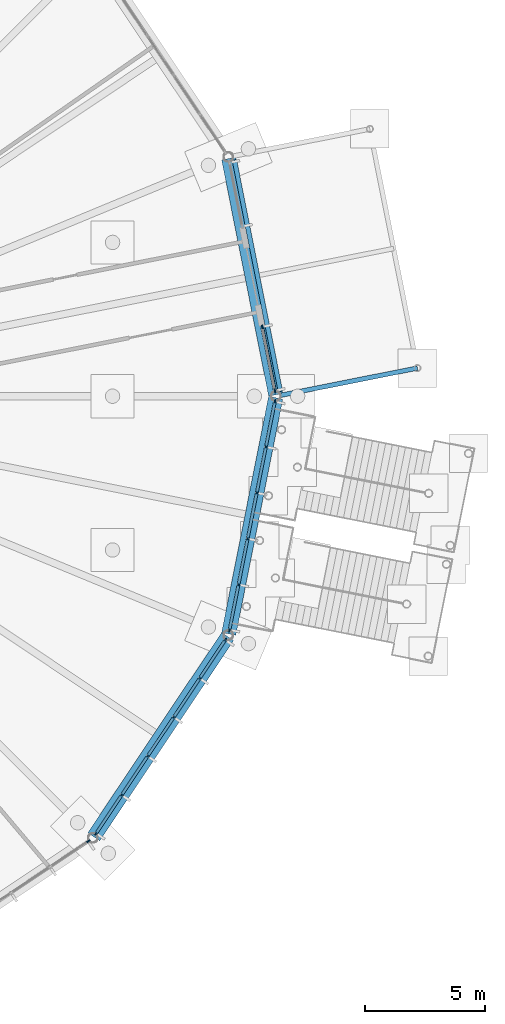
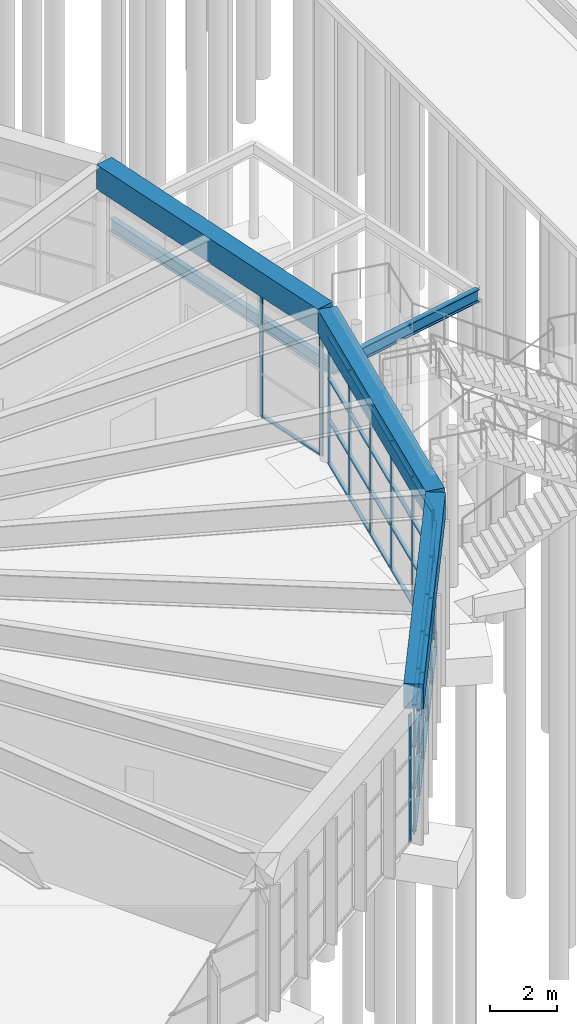
# One storey, part 92 of 226: 56 members, 5 beams, 4 elements without a shape of their own.
"""IFC4 building model written with IfcOpenShell, lengths in metres."""

from ifc_helpers import new_model, si_unit, direction, frame, origin, origin_2d, place, context, subcontext, project, spatial, rectangle, i_section, extrude, material, material_profile, profile_set, type_object, element, aggregate, save


model = new_model("IFC4")

# Units and contexts
model_context = context("Model", 3, precision=1e-05, world=origin(), true_north=direction((0.0, 1.0)))
body_context = subcontext(model_context, "Body", "Model", "MODEL_VIEW")
ifc_project = project(units=[si_unit("LENGTHUNIT", "METRE"), si_unit("AREAUNIT", "SQUARE_METRE"), si_unit("VOLUMEUNIT", "CUBIC_METRE"), si_unit("PLANEANGLEUNIT", "RADIAN"), si_unit("MASSUNIT", "GRAM", prefix="KILO")], contexts=[model_context])

# Site, building, storey
site_placement = place(None, origin())
site = spatial("IfcSite", under=ifc_project, at=site_placement, CompositionType="ELEMENT")
building_placement = place(site_placement, origin())
building = spatial("IfcBuilding", under=site, at=building_placement, Name="Ceibo Conservatory and Research Tower", CompositionType="ELEMENT")
storey_placement = place(building_placement, origin())
storey = spatial("IfcBuildingStorey", under=building, at=storey_placement, Name="L00", CompositionType="ELEMENT", Elevation=0.0)

# Curtain wall, members
ifc_material_1 = material(Name="Aluminium and glass", Category="aluminium")
curtain_wall_type = type_object("IfcCurtainWallType", Name="Pavilion curtain wall", PredefinedType="NOTDEFINED", material=ifc_material_1)
curtain_wall_1_placement = place(storey_placement, origin())
curtain_wall_1 = element("IfcCurtainWall", 1, at=curtain_wall_1_placement, inside=storey, type_object=curtain_wall_type, Name="Pavilion curtain wall VC-CW01W", PredefinedType="NOTDEFINED")
ifc_material_2 = material(Name="Aluminium", Category="aluminium")
ifc_material_profile_1 = material_profile(ifc_material_2, rectangle(XDim=0.06005859375, YDim=0.159912109375, at=origin_2d()), Name="AL 60x160")
ifc_profile_set_1 = profile_set([ifc_material_profile_1], Name="Aluminium")
member_type_1 = type_object("IfcMemberType", Name="Pavilion mullion 60x160", PredefinedType="MULLION", material=ifc_profile_set_1)
member_1_placement = place(storey_placement, frame((193.95458984375, 36.228759765625, 0.0), z_axis=(0.0, 0.0, 1.0), x_axis=(-0.980785282416, -0.195090311899, 0.0)))
member_1 = element("IfcMember", 2, at=member_1_placement, type_object=member_type_1, Name="VC-CW01W mullion 1", PredefinedType="MULLION", context=body_context, shape_type="SweptSolid", body=[
    extrude(rectangle(XDim=0.06005859375, YDim=0.159912109375, at=origin_2d()), origin(), (0.0, 0.0, 1.0), 4.64892578125),
])
member_2_placement = place(storey_placement, frame((193.426025390625, 38.8857421875, 0.0), z_axis=(0.0, 0.0, 1.0), x_axis=(-0.980785282416, -0.195090311899, 0.0)))
member_2 = element("IfcMember", 3, at=member_2_placement, type_object=member_type_1, Name="VC-CW01W mullion 2", PredefinedType="MULLION", context=body_context, shape_type="SweptSolid", body=[
    extrude(rectangle(XDim=0.06005859375, YDim=0.159912109375, at=origin_2d()), origin(), (0.0, 0.0, 1.0), 4.64892578125),
])

# Curtain wall, member
curtain_wall_2_placement = place(storey_placement, origin())
curtain_wall_2 = element("IfcCurtainWall", 4, at=curtain_wall_2_placement, inside=storey, type_object=curtain_wall_type, Name="Pavilion curtain wall VC-CW14", PredefinedType="NOTDEFINED")
member_3_placement = place(storey_placement, frame((186.19091796875, 17.485595703125, 0.0), z_axis=(0.0, 0.0, 1.0), x_axis=(-0.555570267906, 0.831469588992, 0.0)))
member_3 = element("IfcMember", 5, at=member_3_placement, type_object=member_type_1, Name="VC-CW14 mullion 6", PredefinedType="MULLION", context=body_context, shape_type="SweptSolid", body=[
    extrude(rectangle(XDim=0.06005859375, YDim=0.159912109375, at=origin_2d()), origin(), (0.0, 0.0, 1.0), 4.64892578125),
])
aggregate(curtain_wall_2, [member_3])

# Curtain wall, members
curtain_wall_3_placement = place(storey_placement, origin())
curtain_wall_3 = element("IfcCurtainWall", 6, at=curtain_wall_3_placement, inside=storey, type_object=curtain_wall_type, Name="Pavilion curtain wall VC-CW15", PredefinedType="NOTDEFINED")
member_4_placement = place(storey_placement, frame((186.514404296875, 17.80908203125, 0.0), z_axis=(0.0, 0.0, 1.0), x_axis=(-0.831469588992, 0.555570267906, 0.0)))
member_4 = element("IfcMember", 7, at=member_4_placement, type_object=member_type_1, Name="VC-CW15 mullion 1", PredefinedType="MULLION", context=body_context, shape_type="SweptSolid", body=[
    extrude(rectangle(XDim=0.06005859375, YDim=0.159912109375, at=origin_2d()), origin(), (0.0, 0.0, 1.0), 4.64892578125),
])
member_5_placement = place(storey_placement, frame((187.579833984375, 19.403564453125, 0.0), z_axis=(0.0, 0.0, 1.0), x_axis=(-0.831469588992, 0.555570267906, 0.0)))
member_5 = element("IfcMember", 8, at=member_5_placement, type_object=member_type_1, Name="VC-CW15 mullion 2", PredefinedType="MULLION", context=body_context, shape_type="SweptSolid", body=[
    extrude(rectangle(XDim=0.06005859375, YDim=0.159912109375, at=origin_2d()), origin(), (0.0, 0.0, 1.0), 4.64892578125),
])
member_6_placement = place(storey_placement, frame((188.661865234375, 21.02294921875, 0.0), z_axis=(0.0, 0.0, 1.0), x_axis=(-0.831469588992, 0.555570267906, 0.0)))
member_6 = element("IfcMember", 9, at=member_6_placement, type_object=member_type_1, Name="VC-CW15 mullion 3", PredefinedType="MULLION", context=body_context, shape_type="SweptSolid", body=[
    extrude(rectangle(XDim=0.06005859375, YDim=0.159912109375, at=origin_2d()), origin(), (0.0, 0.0, 1.0), 4.64892578125),
])
member_7_placement = place(storey_placement, frame((189.743896484375, 22.642333984375, 0.0), z_axis=(0.0, 0.0, 1.0), x_axis=(-0.831469588992, 0.555570267906, 0.0)))
member_7 = element("IfcMember", 10, at=member_7_placement, type_object=member_type_1, Name="VC-CW15 mullion 4", PredefinedType="MULLION", context=body_context, shape_type="SweptSolid", body=[
    extrude(rectangle(XDim=0.06005859375, YDim=0.159912109375, at=origin_2d()), origin(), (0.0, 0.0, 1.0), 4.64892578125),
])
member_8_placement = place(storey_placement, frame((190.825927734375, 24.261962890625, 0.0), z_axis=(0.0, 0.0, 1.0), x_axis=(-0.831469588992, 0.555570267906, 0.0)))
member_8 = element("IfcMember", 11, at=member_8_placement, type_object=member_type_1, Name="VC-CW15 mullion 5", PredefinedType="MULLION", context=body_context, shape_type="SweptSolid", body=[
    extrude(rectangle(XDim=0.06005859375, YDim=0.159912109375, at=origin_2d()), origin(), (0.0, 0.0, 1.0), 4.64892578125),
])
member_9_placement = place(storey_placement, frame((191.891357421875, 25.8564453125, 0.0), z_axis=(0.0, 0.0, 1.0), x_axis=(-0.831469588992, 0.555570267906, 0.0)))
member_9 = element("IfcMember", 12, at=member_9_placement, type_object=member_type_1, Name="VC-CW15 mullion 6", PredefinedType="MULLION", context=body_context, shape_type="SweptSolid", body=[
    extrude(rectangle(XDim=0.06005859375, YDim=0.159912109375, at=origin_2d()), origin(), (0.0, 0.0, 1.0), 4.64892578125),
])

curtain_wall_4_placement = place(storey_placement, origin())
curtain_wall_4 = element("IfcCurtainWall", 13, at=curtain_wall_4_placement, inside=storey, type_object=curtain_wall_type, Name="Pavilion curtain wall VC-CW16", PredefinedType="NOTDEFINED")
member_10_placement = place(storey_placement, frame((192.06640625, 26.279052734375, 0.0), z_axis=(0.0, 0.0, 1.0), x_axis=(-0.980785282416, 0.195090311899, 0.0)))
member_10 = element("IfcMember", 14, at=member_10_placement, type_object=member_type_1, Name="VC-CW16 mullion 1", PredefinedType="MULLION", context=body_context, shape_type="SweptSolid", body=[
    extrude(rectangle(XDim=0.06005859375, YDim=0.159912109375, at=origin_2d()), origin(), (0.0, 0.0, 1.0), 4.64892578125),
])
member_11_placement = place(storey_placement, frame((192.4404296875, 28.15966796875, 0.0), z_axis=(0.0, 0.0, 1.0), x_axis=(-0.980785282416, 0.195090311899, 0.0)))
member_11 = element("IfcMember", 15, at=member_11_placement, type_object=member_type_1, Name="VC-CW16 mullion 2", PredefinedType="MULLION", context=body_context, shape_type="SweptSolid", body=[
    extrude(rectangle(XDim=0.06005859375, YDim=0.159912109375, at=origin_2d()), origin(), (0.0, 0.0, 1.0), 4.64892578125),
])
member_12_placement = place(storey_placement, frame((192.820556640625, 30.070068359375, 0.0), z_axis=(0.0, 0.0, 1.0), x_axis=(-0.980785282416, 0.195090311899, 0.0)))
member_12 = element("IfcMember", 16, at=member_12_placement, type_object=member_type_1, Name="VC-CW16 mullion 3", PredefinedType="MULLION", context=body_context, shape_type="SweptSolid", body=[
    extrude(rectangle(XDim=0.06005859375, YDim=0.159912109375, at=origin_2d()), origin(), (0.0, 0.0, 1.0), 4.64892578125),
])
member_13_placement = place(storey_placement, frame((193.200439453125, 31.980224609375, 0.0), z_axis=(0.0, 0.0, 1.0), x_axis=(-0.980785282416, 0.195090311899, 0.0)))
member_13 = element("IfcMember", 17, at=member_13_placement, type_object=member_type_1, Name="VC-CW16 mullion 4", PredefinedType="MULLION", context=body_context, shape_type="SweptSolid", body=[
    extrude(rectangle(XDim=0.06005859375, YDim=0.159912109375, at=origin_2d()), origin(), (0.0, 0.0, 1.0), 4.64892578125),
])
member_14_placement = place(storey_placement, frame((193.580322265625, 33.890380859375, 0.0), z_axis=(0.0, 0.0, 1.0), x_axis=(-0.980785282416, 0.195090311899, 0.0)))
member_14 = element("IfcMember", 18, at=member_14_placement, type_object=member_type_1, Name="VC-CW16 mullion 5", PredefinedType="MULLION", context=body_context, shape_type="SweptSolid", body=[
    extrude(rectangle(XDim=0.06005859375, YDim=0.159912109375, at=origin_2d()), origin(), (0.0, 0.0, 1.0), 4.64892578125),
])
member_15_placement = place(storey_placement, frame((193.95458984375, 35.771240234375, 0.0), z_axis=(0.0, 0.0, 1.0), x_axis=(-0.980785282416, 0.195090311899, 0.0)))
member_15 = element("IfcMember", 19, at=member_15_placement, type_object=member_type_1, Name="VC-CW16 mullion 6", PredefinedType="MULLION", context=body_context, shape_type="SweptSolid", body=[
    extrude(rectangle(XDim=0.06005859375, YDim=0.159912109375, at=origin_2d()), origin(), (0.0, 0.0, 1.0), 4.64892578125),
])

# Member
ifc_material_profile_2 = material_profile(ifc_material_2, rectangle(XDim=0.1201171875, YDim=0.06005859375, at=origin_2d()), Name="AL 60x120")
ifc_profile_set_2 = profile_set([ifc_material_profile_2], Name="Aluminium")
member_type_2 = type_object("IfcMemberType", Name="Pavilion transom 60x120", PredefinedType="USERDEFINED", material=ifc_profile_set_2)
member_16_placement = place(storey_placement, frame((193.94873046875, 36.258056640625, 0.030029296875), z_axis=(-0.195088165617, 0.980785709335, 0.0), x_axis=(-0.980785709335, -0.195088165617, 0.0)))
member_16 = element("IfcMember", 20, at=member_16_placement, type_object=member_type_2, Name="VC-CW01W transom 1.1", ObjectType="TRANSOM", PredefinedType="USERDEFINED", context=body_context, shape_type="SweptSolid", body=[
    extrude(rectangle(XDim=0.1201171875, YDim=0.06005859375, at=origin_2d()), origin(), (0.0, 0.0, 1.0), 2.6494140625),
])

aggregate(curtain_wall_1, [member_1, member_2, member_16])

member_17_placement = place(storey_placement, frame((186.531005859375, 17.833984375, 0.030029296875), z_axis=(0.555518784793, 0.831503986606, 0.0), x_axis=(-0.831503986606, 0.555518784793, 0.0)))
member_17 = element("IfcMember", 21, at=member_17_placement, type_object=member_type_2, Name="VC-CW15 transom 1.1", ObjectType="TRANSOM", PredefinedType="USERDEFINED", context=body_context, shape_type="SweptSolid", body=[
    extrude(rectangle(XDim=0.1201171875, YDim=0.06005859375, at=origin_2d()), origin(), (0.0, 0.0, 1.0), 1.857666015625),
])

member_18_placement = place(storey_placement, frame((186.531005859375, 17.833984375, 1.5810546875), z_axis=(0.555518784793, 0.831503986606, 0.0), x_axis=(-0.831503986606, 0.555518784793, 0.0)))
member_18 = element("IfcMember", 22, at=member_18_placement, type_object=member_type_2, Name="VC-CW15 transom 1.2", ObjectType="TRANSOM", PredefinedType="USERDEFINED", context=body_context, shape_type="SweptSolid", body=[
    extrude(rectangle(XDim=0.1201171875, YDim=0.06005859375, at=origin_2d()), origin(), (0.0, 0.0, 1.0), 1.857666015625),
])

member_19_placement = place(storey_placement, frame((186.531005859375, 17.833984375, 3.114990234375), z_axis=(0.555518784793, 0.831503986606, 0.0), x_axis=(-0.831503986606, 0.555518784793, 0.0)))
member_19 = element("IfcMember", 23, at=member_19_placement, type_object=member_type_2, Name="VC-CW15 transom 1.3", ObjectType="TRANSOM", PredefinedType="USERDEFINED", context=body_context, shape_type="SweptSolid", body=[
    extrude(rectangle(XDim=0.1201171875, YDim=0.06005859375, at=origin_2d()), origin(), (0.0, 0.0, 1.0), 1.857666015625),
])

member_20_placement = place(storey_placement, frame((186.531005859375, 17.833984375, 4.618896484375), z_axis=(0.555518784793, 0.831503986606, 0.0), x_axis=(-0.831503986606, 0.555518784793, 0.0)))
member_20 = element("IfcMember", 24, at=member_20_placement, type_object=member_type_2, Name="VC-CW15 transom 1.4", ObjectType="TRANSOM", PredefinedType="USERDEFINED", context=body_context, shape_type="SweptSolid", body=[
    extrude(rectangle(XDim=0.1201171875, YDim=0.06005859375, at=origin_2d()), origin(), (0.0, 0.0, 1.0), 1.857666015625),
])

member_21_placement = place(storey_placement, frame((187.596435546875, 19.428466796875, 0.030029296875), z_axis=(0.555505809977, 0.831512654794, 0.0), x_axis=(-0.831512654794, 0.555505809977, 0.0)))
member_21 = element("IfcMember", 25, at=member_21_placement, type_object=member_type_2, Name="VC-CW15 transom 2.1", ObjectType="TRANSOM", PredefinedType="USERDEFINED", context=body_context, shape_type="SweptSolid", body=[
    extrude(rectangle(XDim=0.1201171875, YDim=0.06005859375, at=origin_2d()), origin(), (0.0, 0.0, 1.0), 1.8876953125),
])

member_22_placement = place(storey_placement, frame((187.596435546875, 19.428466796875, 1.5810546875), z_axis=(0.555505809977, 0.831512654794, 0.0), x_axis=(-0.831512654794, 0.555505809977, 0.0)))
member_22 = element("IfcMember", 26, at=member_22_placement, type_object=member_type_2, Name="VC-CW15 transom 2.2", ObjectType="TRANSOM", PredefinedType="USERDEFINED", context=body_context, shape_type="SweptSolid", body=[
    extrude(rectangle(XDim=0.1201171875, YDim=0.06005859375, at=origin_2d()), origin(), (0.0, 0.0, 1.0), 1.8876953125),
])

member_23_placement = place(storey_placement, frame((187.596435546875, 19.428466796875, 3.114990234375), z_axis=(0.555505809977, 0.831512654794, 0.0), x_axis=(-0.831512654794, 0.555505809977, 0.0)))
member_23 = element("IfcMember", 27, at=member_23_placement, type_object=member_type_2, Name="VC-CW15 transom 2.3", ObjectType="TRANSOM", PredefinedType="USERDEFINED", context=body_context, shape_type="SweptSolid", body=[
    extrude(rectangle(XDim=0.1201171875, YDim=0.06005859375, at=origin_2d()), origin(), (0.0, 0.0, 1.0), 1.8876953125),
])

member_24_placement = place(storey_placement, frame((187.596435546875, 19.428466796875, 4.618896484375), z_axis=(0.555505809977, 0.831512654794, 0.0), x_axis=(-0.831512654794, 0.555505809977, 0.0)))
member_24 = element("IfcMember", 28, at=member_24_placement, type_object=member_type_2, Name="VC-CW15 transom 2.4", ObjectType="TRANSOM", PredefinedType="USERDEFINED", context=body_context, shape_type="SweptSolid", body=[
    extrude(rectangle(XDim=0.1201171875, YDim=0.06005859375, at=origin_2d()), origin(), (0.0, 0.0, 1.0), 1.8876953125),
])

member_25_placement = place(storey_placement, frame((188.678466796875, 21.0478515625, 0.030029296875), z_axis=(0.555595226207, 0.831452911845, 0.0), x_axis=(-0.831452911845, 0.555595226207, 0.0)))
member_25 = element("IfcMember", 29, at=member_25_placement, type_object=member_type_2, Name="VC-CW15 transom 3.1", ObjectType="TRANSOM", PredefinedType="USERDEFINED", context=body_context, shape_type="SweptSolid", body=[
    extrude(rectangle(XDim=0.1201171875, YDim=0.06005859375, at=origin_2d()), origin(), (0.0, 0.0, 1.0), 1.8876953125),
])

member_26_placement = place(storey_placement, frame((188.678466796875, 21.0478515625, 1.5810546875), z_axis=(0.555595226207, 0.831452911845, 0.0), x_axis=(-0.831452911845, 0.555595226207, 0.0)))
member_26 = element("IfcMember", 30, at=member_26_placement, type_object=member_type_2, Name="VC-CW15 transom 3.2", ObjectType="TRANSOM", PredefinedType="USERDEFINED", context=body_context, shape_type="SweptSolid", body=[
    extrude(rectangle(XDim=0.1201171875, YDim=0.06005859375, at=origin_2d()), origin(), (0.0, 0.0, 1.0), 1.8876953125),
])

member_27_placement = place(storey_placement, frame((188.678466796875, 21.0478515625, 3.114990234375), z_axis=(0.555595226207, 0.831452911845, 0.0), x_axis=(-0.831452911845, 0.555595226207, 0.0)))
member_27 = element("IfcMember", 31, at=member_27_placement, type_object=member_type_2, Name="VC-CW15 transom 3.3", ObjectType="TRANSOM", PredefinedType="USERDEFINED", context=body_context, shape_type="SweptSolid", body=[
    extrude(rectangle(XDim=0.1201171875, YDim=0.06005859375, at=origin_2d()), origin(), (0.0, 0.0, 1.0), 1.8876953125),
])

member_28_placement = place(storey_placement, frame((188.678466796875, 21.0478515625, 4.618896484375), z_axis=(0.555595226207, 0.831452911845, 0.0), x_axis=(-0.831452911845, 0.555595226207, 0.0)))
member_28 = element("IfcMember", 32, at=member_28_placement, type_object=member_type_2, Name="VC-CW15 transom 3.4", ObjectType="TRANSOM", PredefinedType="USERDEFINED", context=body_context, shape_type="SweptSolid", body=[
    extrude(rectangle(XDim=0.1201171875, YDim=0.06005859375, at=origin_2d()), origin(), (0.0, 0.0, 1.0), 1.8876953125),
])

member_29_placement = place(storey_placement, frame((189.760498046875, 22.66748046875, 0.030029296875), z_axis=(0.555654974661, 0.831412983501, 0.0), x_axis=(-0.831412983501, 0.555654974661, 0.0)))
member_29 = element("IfcMember", 33, at=member_29_placement, type_object=member_type_2, Name="VC-CW15 transom 4.1", ObjectType="TRANSOM", PredefinedType="USERDEFINED", context=body_context, shape_type="SweptSolid", body=[
    extrude(rectangle(XDim=0.1201171875, YDim=0.06005859375, at=origin_2d()), origin(), (0.0, 0.0, 1.0), 1.887451171875),
])

member_30_placement = place(storey_placement, frame((189.760498046875, 22.66748046875, 1.5810546875), z_axis=(0.555654974661, 0.831412983501, 0.0), x_axis=(-0.831412983501, 0.555654974661, 0.0)))
member_30 = element("IfcMember", 34, at=member_30_placement, type_object=member_type_2, Name="VC-CW15 transom 4.2", ObjectType="TRANSOM", PredefinedType="USERDEFINED", context=body_context, shape_type="SweptSolid", body=[
    extrude(rectangle(XDim=0.1201171875, YDim=0.06005859375, at=origin_2d()), origin(), (0.0, 0.0, 1.0), 1.887451171875),
])

member_31_placement = place(storey_placement, frame((189.760498046875, 22.66748046875, 3.114990234375), z_axis=(0.555654974661, 0.831412983501, 0.0), x_axis=(-0.831412983501, 0.555654974661, 0.0)))
member_31 = element("IfcMember", 35, at=member_31_placement, type_object=member_type_2, Name="VC-CW15 transom 4.3", ObjectType="TRANSOM", PredefinedType="USERDEFINED", context=body_context, shape_type="SweptSolid", body=[
    extrude(rectangle(XDim=0.1201171875, YDim=0.06005859375, at=origin_2d()), origin(), (0.0, 0.0, 1.0), 1.887451171875),
])

member_32_placement = place(storey_placement, frame((189.760498046875, 22.66748046875, 4.618896484375), z_axis=(0.555654974661, 0.831412983501, 0.0), x_axis=(-0.831412983501, 0.555654974661, 0.0)))
member_32 = element("IfcMember", 36, at=member_32_placement, type_object=member_type_2, Name="VC-CW15 transom 4.4", ObjectType="TRANSOM", PredefinedType="USERDEFINED", context=body_context, shape_type="SweptSolid", body=[
    extrude(rectangle(XDim=0.1201171875, YDim=0.06005859375, at=origin_2d()), origin(), (0.0, 0.0, 1.0), 1.887451171875),
])

member_33_placement = place(storey_placement, frame((190.842529296875, 24.286865234375, 0.030029296875), z_axis=(0.555670351469, 0.831402706574, 0.0), x_axis=(-0.831402706574, 0.555670351469, 0.0)))
member_33 = element("IfcMember", 37, at=member_33_placement, type_object=member_type_2, Name="VC-CW15 transom 5.1", ObjectType="TRANSOM", PredefinedType="USERDEFINED", context=body_context, shape_type="SweptSolid", body=[
    extrude(rectangle(XDim=0.1201171875, YDim=0.06005859375, at=origin_2d()), origin(), (0.0, 0.0, 1.0), 1.857666015625),
])

member_34_placement = place(storey_placement, frame((190.842529296875, 24.286865234375, 1.5810546875), z_axis=(0.555670351469, 0.831402706574, 0.0), x_axis=(-0.831402706574, 0.555670351469, 0.0)))
member_34 = element("IfcMember", 38, at=member_34_placement, type_object=member_type_2, Name="VC-CW15 transom 5.2", ObjectType="TRANSOM", PredefinedType="USERDEFINED", context=body_context, shape_type="SweptSolid", body=[
    extrude(rectangle(XDim=0.1201171875, YDim=0.06005859375, at=origin_2d()), origin(), (0.0, 0.0, 1.0), 1.857666015625),
])

member_35_placement = place(storey_placement, frame((190.842529296875, 24.286865234375, 3.114990234375), z_axis=(0.555670351469, 0.831402706574, 0.0), x_axis=(-0.831402706574, 0.555670351469, 0.0)))
member_35 = element("IfcMember", 39, at=member_35_placement, type_object=member_type_2, Name="VC-CW15 transom 5.3", ObjectType="TRANSOM", PredefinedType="USERDEFINED", context=body_context, shape_type="SweptSolid", body=[
    extrude(rectangle(XDim=0.1201171875, YDim=0.06005859375, at=origin_2d()), origin(), (0.0, 0.0, 1.0), 1.857666015625),
])

member_36_placement = place(storey_placement, frame((190.842529296875, 24.286865234375, 4.618896484375), z_axis=(0.555670351469, 0.831402706574, 0.0), x_axis=(-0.831402706574, 0.555670351469, 0.0)))
member_36 = element("IfcMember", 40, at=member_36_placement, type_object=member_type_2, Name="VC-CW15 transom 5.4", ObjectType="TRANSOM", PredefinedType="USERDEFINED", context=body_context, shape_type="SweptSolid", body=[
    extrude(rectangle(XDim=0.1201171875, YDim=0.06005859375, at=origin_2d()), origin(), (0.0, 0.0, 1.0), 1.857666015625),
])

aggregate(curtain_wall_3, [member_4, member_5, member_6, member_7, member_8, member_9, member_17, member_18, member_19, member_20, member_21, member_22, member_23, member_24, member_25, member_26, member_27, member_28, member_29, member_30, member_31, member_32, member_33, member_34, member_35, member_36])

member_37_placement = place(storey_placement, frame((192.072265625, 26.308349609375, 0.030029296875), z_axis=(0.195029261348, 0.980797424149, 0.0), x_axis=(-0.980797424149, 0.195029261348, 0.0)))
member_37 = element("IfcMember", 41, at=member_37_placement, type_object=member_type_2, Name="VC-CW16 transom 1.1", ObjectType="TRANSOM", PredefinedType="USERDEFINED", context=body_context, shape_type="SweptSolid", body=[
    extrude(rectangle(XDim=0.1201171875, YDim=0.06005859375, at=origin_2d()), origin(), (0.0, 0.0, 1.0), 1.857666015625),
])

member_38_placement = place(storey_placement, frame((192.072265625, 26.308349609375, 1.5810546875), z_axis=(0.195029261348, 0.980797424149, 0.0), x_axis=(-0.980797424149, 0.195029261348, 0.0)))
member_38 = element("IfcMember", 42, at=member_38_placement, type_object=member_type_2, Name="VC-CW16 transom 1.2", ObjectType="TRANSOM", PredefinedType="USERDEFINED", context=body_context, shape_type="SweptSolid", body=[
    extrude(rectangle(XDim=0.1201171875, YDim=0.06005859375, at=origin_2d()), origin(), (0.0, 0.0, 1.0), 1.857666015625),
])

member_39_placement = place(storey_placement, frame((192.072265625, 26.308349609375, 3.114990234375), z_axis=(0.195029261348, 0.980797424149, 0.0), x_axis=(-0.980797424149, 0.195029261348, 0.0)))
member_39 = element("IfcMember", 43, at=member_39_placement, type_object=member_type_2, Name="VC-CW16 transom 1.3", ObjectType="TRANSOM", PredefinedType="USERDEFINED", context=body_context, shape_type="SweptSolid", body=[
    extrude(rectangle(XDim=0.1201171875, YDim=0.06005859375, at=origin_2d()), origin(), (0.0, 0.0, 1.0), 1.857666015625),
])

member_40_placement = place(storey_placement, frame((192.072265625, 26.308349609375, 4.618896484375), z_axis=(0.195029261348, 0.980797424149, 0.0), x_axis=(-0.980797424149, 0.195029261348, 0.0)))
member_40 = element("IfcMember", 44, at=member_40_placement, type_object=member_type_2, Name="VC-CW16 transom 1.4", ObjectType="TRANSOM", PredefinedType="USERDEFINED", context=body_context, shape_type="SweptSolid", body=[
    extrude(rectangle(XDim=0.1201171875, YDim=0.06005859375, at=origin_2d()), origin(), (0.0, 0.0, 1.0), 1.857666015625),
])

member_41_placement = place(storey_placement, frame((192.4462890625, 28.189208984375, 0.030029296875), z_axis=(0.195170882501, 0.980769252487, 0.0), x_axis=(-0.980769252487, 0.195170882501, 0.0)))
member_41 = element("IfcMember", 45, at=member_41_placement, type_object=member_type_2, Name="VC-CW16 transom 2.1", ObjectType="TRANSOM", PredefinedType="USERDEFINED", context=body_context, shape_type="SweptSolid", body=[
    extrude(rectangle(XDim=0.1201171875, YDim=0.06005859375, at=origin_2d()), origin(), (0.0, 0.0, 1.0), 1.8876953125),
])

member_42_placement = place(storey_placement, frame((192.4462890625, 28.189208984375, 1.5810546875), z_axis=(0.195170882501, 0.980769252487, 0.0), x_axis=(-0.980769252487, 0.195170882501, 0.0)))
member_42 = element("IfcMember", 46, at=member_42_placement, type_object=member_type_2, Name="VC-CW16 transom 2.2", ObjectType="TRANSOM", PredefinedType="USERDEFINED", context=body_context, shape_type="SweptSolid", body=[
    extrude(rectangle(XDim=0.1201171875, YDim=0.06005859375, at=origin_2d()), origin(), (0.0, 0.0, 1.0), 1.8876953125),
])

member_43_placement = place(storey_placement, frame((192.4462890625, 28.189208984375, 3.114990234375), z_axis=(0.195170882501, 0.980769252487, 0.0), x_axis=(-0.980769252487, 0.195170882501, 0.0)))
member_43 = element("IfcMember", 47, at=member_43_placement, type_object=member_type_2, Name="VC-CW16 transom 2.3", ObjectType="TRANSOM", PredefinedType="USERDEFINED", context=body_context, shape_type="SweptSolid", body=[
    extrude(rectangle(XDim=0.1201171875, YDim=0.06005859375, at=origin_2d()), origin(), (0.0, 0.0, 1.0), 1.8876953125),
])

member_44_placement = place(storey_placement, frame((192.4462890625, 28.189208984375, 4.618896484375), z_axis=(0.195170882501, 0.980769252487, 0.0), x_axis=(-0.980769252487, 0.195170882501, 0.0)))
member_44 = element("IfcMember", 48, at=member_44_placement, type_object=member_type_2, Name="VC-CW16 transom 2.4", ObjectType="TRANSOM", PredefinedType="USERDEFINED", context=body_context, shape_type="SweptSolid", body=[
    extrude(rectangle(XDim=0.1201171875, YDim=0.06005859375, at=origin_2d()), origin(), (0.0, 0.0, 1.0), 1.8876953125),
])

member_45_placement = place(storey_placement, frame((192.826416015625, 30.099365234375, 0.030029296875), z_axis=(0.195021726654, 0.980798922376, 0.0), x_axis=(-0.980798922376, 0.195021726654, 0.0)))
member_45 = element("IfcMember", 49, at=member_45_placement, type_object=member_type_2, Name="VC-CW16 transom 3.1", ObjectType="TRANSOM", PredefinedType="USERDEFINED", context=body_context, shape_type="SweptSolid", body=[
    extrude(rectangle(XDim=0.1201171875, YDim=0.06005859375, at=origin_2d()), origin(), (0.0, 0.0, 1.0), 1.8876953125),
])

member_46_placement = place(storey_placement, frame((192.826416015625, 30.099365234375, 1.5810546875), z_axis=(0.195021726654, 0.980798922376, 0.0), x_axis=(-0.980798922376, 0.195021726654, 0.0)))
member_46 = element("IfcMember", 50, at=member_46_placement, type_object=member_type_2, Name="VC-CW16 transom 3.2", ObjectType="TRANSOM", PredefinedType="USERDEFINED", context=body_context, shape_type="SweptSolid", body=[
    extrude(rectangle(XDim=0.1201171875, YDim=0.06005859375, at=origin_2d()), origin(), (0.0, 0.0, 1.0), 1.8876953125),
])

member_47_placement = place(storey_placement, frame((192.826416015625, 30.099365234375, 3.114990234375), z_axis=(0.195021726654, 0.980798922376, 0.0), x_axis=(-0.980798922376, 0.195021726654, 0.0)))
member_47 = element("IfcMember", 51, at=member_47_placement, type_object=member_type_2, Name="VC-CW16 transom 3.3", ObjectType="TRANSOM", PredefinedType="USERDEFINED", context=body_context, shape_type="SweptSolid", body=[
    extrude(rectangle(XDim=0.1201171875, YDim=0.06005859375, at=origin_2d()), origin(), (0.0, 0.0, 1.0), 1.8876953125),
])

member_48_placement = place(storey_placement, frame((192.826416015625, 30.099365234375, 4.618896484375), z_axis=(0.195021726654, 0.980798922376, 0.0), x_axis=(-0.980798922376, 0.195021726654, 0.0)))
member_48 = element("IfcMember", 52, at=member_48_placement, type_object=member_type_2, Name="VC-CW16 transom 3.4", ObjectType="TRANSOM", PredefinedType="USERDEFINED", context=body_context, shape_type="SweptSolid", body=[
    extrude(rectangle(XDim=0.1201171875, YDim=0.06005859375, at=origin_2d()), origin(), (0.0, 0.0, 1.0), 1.8876953125),
])

member_49_placement = place(storey_placement, frame((193.206298828125, 32.009765625, 0.030029296875), z_axis=(0.195046466593, 0.98079400277, 0.0), x_axis=(-0.98079400277, 0.195046466593, 0.0)))
member_49 = element("IfcMember", 53, at=member_49_placement, type_object=member_type_2, Name="VC-CW16 transom 4.1", ObjectType="TRANSOM", PredefinedType="USERDEFINED", context=body_context, shape_type="SweptSolid", body=[
    extrude(rectangle(XDim=0.1201171875, YDim=0.06005859375, at=origin_2d()), origin(), (0.0, 0.0, 1.0), 1.887451171875),
])

member_50_placement = place(storey_placement, frame((193.206298828125, 32.009765625, 1.5810546875), z_axis=(0.195046466593, 0.98079400277, 0.0), x_axis=(-0.98079400277, 0.195046466593, 0.0)))
member_50 = element("IfcMember", 54, at=member_50_placement, type_object=member_type_2, Name="VC-CW16 transom 4.2", ObjectType="TRANSOM", PredefinedType="USERDEFINED", context=body_context, shape_type="SweptSolid", body=[
    extrude(rectangle(XDim=0.1201171875, YDim=0.06005859375, at=origin_2d()), origin(), (0.0, 0.0, 1.0), 1.887451171875),
])

member_51_placement = place(storey_placement, frame((193.206298828125, 32.009765625, 3.114990234375), z_axis=(0.195046466593, 0.98079400277, 0.0), x_axis=(-0.98079400277, 0.195046466593, 0.0)))
member_51 = element("IfcMember", 55, at=member_51_placement, type_object=member_type_2, Name="VC-CW16 transom 4.3", ObjectType="TRANSOM", PredefinedType="USERDEFINED", context=body_context, shape_type="SweptSolid", body=[
    extrude(rectangle(XDim=0.1201171875, YDim=0.06005859375, at=origin_2d()), origin(), (0.0, 0.0, 1.0), 1.887451171875),
])

member_52_placement = place(storey_placement, frame((193.206298828125, 32.009765625, 4.618896484375), z_axis=(0.195046466593, 0.98079400277, 0.0), x_axis=(-0.98079400277, 0.195046466593, 0.0)))
member_52 = element("IfcMember", 56, at=member_52_placement, type_object=member_type_2, Name="VC-CW16 transom 4.4", ObjectType="TRANSOM", PredefinedType="USERDEFINED", context=body_context, shape_type="SweptSolid", body=[
    extrude(rectangle(XDim=0.1201171875, YDim=0.06005859375, at=origin_2d()), origin(), (0.0, 0.0, 1.0), 1.887451171875),
])

member_53_placement = place(storey_placement, frame((193.586181640625, 33.919921875, 0.030029296875), z_axis=(0.195155679025, 0.980772277822, 0.0), x_axis=(-0.980772277822, 0.195155679025, 0.0)))
member_53 = element("IfcMember", 57, at=member_53_placement, type_object=member_type_2, Name="VC-CW16 transom 5.1", ObjectType="TRANSOM", PredefinedType="USERDEFINED", context=body_context, shape_type="SweptSolid", body=[
    extrude(rectangle(XDim=0.1201171875, YDim=0.06005859375, at=origin_2d()), origin(), (0.0, 0.0, 1.0), 1.857666015625),
])

member_54_placement = place(storey_placement, frame((193.586181640625, 33.919921875, 1.5810546875), z_axis=(0.195155679025, 0.980772277822, 0.0), x_axis=(-0.980772277822, 0.195155679025, 0.0)))
member_54 = element("IfcMember", 58, at=member_54_placement, type_object=member_type_2, Name="VC-CW16 transom 5.2", ObjectType="TRANSOM", PredefinedType="USERDEFINED", context=body_context, shape_type="SweptSolid", body=[
    extrude(rectangle(XDim=0.1201171875, YDim=0.06005859375, at=origin_2d()), origin(), (0.0, 0.0, 1.0), 1.857666015625),
])

member_55_placement = place(storey_placement, frame((193.586181640625, 33.919921875, 3.114990234375), z_axis=(0.195155679025, 0.980772277822, 0.0), x_axis=(-0.980772277822, 0.195155679025, 0.0)))
member_55 = element("IfcMember", 59, at=member_55_placement, type_object=member_type_2, Name="VC-CW16 transom 5.3", ObjectType="TRANSOM", PredefinedType="USERDEFINED", context=body_context, shape_type="SweptSolid", body=[
    extrude(rectangle(XDim=0.1201171875, YDim=0.06005859375, at=origin_2d()), origin(), (0.0, 0.0, 1.0), 1.857666015625),
])

member_56_placement = place(storey_placement, frame((193.586181640625, 33.919921875, 4.618896484375), z_axis=(0.195155679025, 0.980772277822, 0.0), x_axis=(-0.980772277822, 0.195155679025, 0.0)))
member_56 = element("IfcMember", 60, at=member_56_placement, type_object=member_type_2, Name="VC-CW16 transom 5.4", ObjectType="TRANSOM", PredefinedType="USERDEFINED", context=body_context, shape_type="SweptSolid", body=[
    extrude(rectangle(XDim=0.1201171875, YDim=0.06005859375, at=origin_2d()), origin(), (0.0, 0.0, 1.0), 1.857666015625),
])

aggregate(curtain_wall_4, [member_10, member_11, member_12, member_13, member_14, member_15, member_37, member_38, member_39, member_40, member_41, member_42, member_43, member_44, member_45, member_46, member_47, member_48, member_49, member_50, member_51, member_52, member_53, member_54, member_55, member_56])

# Beams
ifc_material_3 = material(Name="Concrete C35/45", Category="concrete")
ifc_material_profile_3 = material_profile(ifc_material_3, rectangle(XDim=0.60009765625, YDim=0.89990234375, at=origin_2d()), Name="RC 600x900")
ifc_profile_set_3 = profile_set([ifc_material_profile_3], Name="Concrete C35/45")
beam_type_1 = type_object("IfcBeamType", Name="RC ring beam 600x900", PredefinedType="BEAM", material=ifc_profile_set_3)
beam_1_placement = place(storey_placement, frame((193.988037109375, 36.060546875, 5.09912109375), z_axis=(-0.195094678952, 0.980784413745, 0.0), x_axis=(-0.980784413745, -0.195094678952, 0.0)))
element("IfcBeam", 61, at=beam_1_placement, inside=storey, type_object=beam_type_1, Name="Pavilion ring beam VC-RB01", PredefinedType="BEAM", context=body_context, shape_type="SweptSolid", body=[
    extrude(rectangle(XDim=0.60009765625, YDim=0.89990234375, at=origin_2d()), origin(), (0.0, 0.0, 1.0), 10.021240234375),
])
beam_2_placement = place(storey_placement, frame((186.4189453125, 17.66650390625, 5.09912109375), z_axis=(0.555571295566, 0.831468902331, 0.0), x_axis=(-0.831468902331, 0.555571295566, 0.0)))
element("IfcBeam", 62, at=beam_2_placement, inside=storey, type_object=beam_type_1, Name="Pavilion ring beam VC-RB15", PredefinedType="BEAM", context=body_context, shape_type="SweptSolid", body=[
    extrude(rectangle(XDim=0.60009765625, YDim=0.89990234375, at=origin_2d()), origin(), (0.0, 0.0, 1.0), 10.021484375),
])
beam_3_placement = place(storey_placement, frame((192.032958984375, 26.11083984375, 5.09912109375), z_axis=(0.195094678952, 0.980784413745, 0.0), x_axis=(-0.980784413745, 0.195094678952, 0.0)))
element("IfcBeam", 63, at=beam_3_placement, inside=storey, type_object=beam_type_1, Name="Pavilion ring beam VC-RB16", PredefinedType="BEAM", context=body_context, shape_type="SweptSolid", body=[
    extrude(rectangle(XDim=0.60009765625, YDim=0.89990234375, at=origin_2d()), origin(), (0.0, 0.0, 1.0), 10.021240234375),
])
ifc_material_4 = material(Name="Steel S355J2", Category="steel")
ifc_material_profile_4 = material_profile(ifc_material_4, i_section(OverallWidth=0.18994140625, OverallDepth=0.449951171875, WebThickness=0.009521484375, FlangeThickness=0.0146484375, FilletRadius=0.02099609375, at=origin_2d()), Name="IPE 450")
ifc_profile_set_4 = profile_set([ifc_material_profile_4], Name="Steel S355J2")
beam_type_2 = type_object("IfcBeamType", Name="canopy beam IPE 450", PredefinedType="BEAM", material=ifc_profile_set_4)
beam_4_placement = place(storey_placement, frame((199.884765625, 37.170654296875, 3.22412109375), z_axis=(-0.98077940709, -0.195119846833, 0.0), x_axis=(0.195119846833, -0.98077940709, 0.0)))
element("IfcBeam", 64, at=beam_4_placement, inside=storey, type_object=beam_type_2, Name="Canopy rafter East 1", PredefinedType="BEAM", context=body_context, shape_type="SweptSolid", body=[
    extrude(i_section(OverallWidth=0.18994140625, OverallDepth=0.449951171875, WebThickness=0.009521484375, FlangeThickness=0.0146484375, FilletRadius=0.02099609375, at=origin_2d()), origin(), (0.0, 0.0, 1.0), 5.796875),
])
beam_5_placement = place(storey_placement, frame((194.1845703125, 36.199951171875, 3.22412109375), z_axis=(-0.195102886325, 0.980782781123, 0.0), x_axis=(-0.980782781123, -0.195102886325, 0.0)))
element("IfcBeam", 65, at=beam_5_placement, inside=storey, type_object=beam_type_2, Name="Canopy facade beam East", PredefinedType="BEAM", context=body_context, shape_type="SweptSolid", body=[
    extrude(i_section(OverallWidth=0.18994140625, OverallDepth=0.449951171875, WebThickness=0.009521484375, FlangeThickness=0.0146484375, FilletRadius=0.02099609375, at=origin_2d()), origin(), (0.0, 0.0, 1.0), 9.82421875),
])

save(model, "model.ifc")
